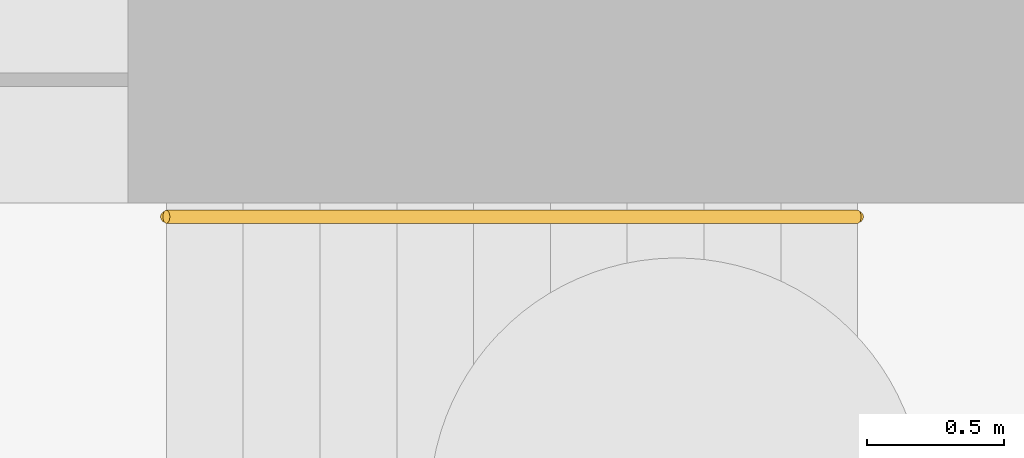
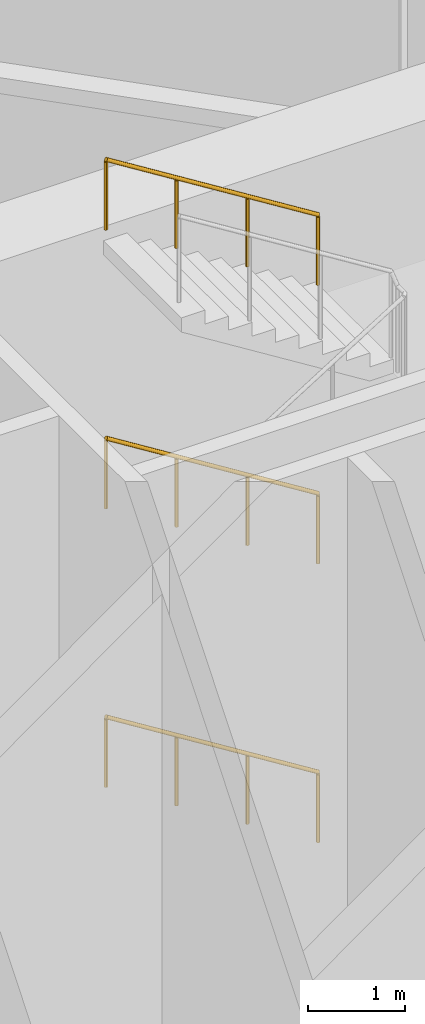
# One storey, part 30 of 31: 3 railings.
"""IFC4 building model written with IfcOpenShell, lengths in metres."""

from ifc_helpers import new_model, si_unit, direction, frame, origin, origin_2d, place, context, subcontext, project, spatial, circle, extrude, material, type_object, element, save


model = new_model("IFC4")

# Units and contexts
model_context = context("Model", 3, precision=1e-05, world=origin(), true_north=direction((0.0, 1.0)))
body_context = subcontext(model_context, "Body", "Model", "MODEL_VIEW")
ifc_project = project(units=[si_unit("LENGTHUNIT", "METRE"), si_unit("AREAUNIT", "SQUARE_METRE"), si_unit("VOLUMEUNIT", "CUBIC_METRE"), si_unit("PLANEANGLEUNIT", "RADIAN"), si_unit("MASSUNIT", "GRAM", prefix="KILO")], contexts=[model_context])

# Site, building, storey
site_placement = place(None, origin())
site = spatial("IfcSite", under=ifc_project, at=site_placement, CompositionType="ELEMENT")
building_placement = place(site_placement, origin())
building = spatial("IfcBuilding", under=site, at=building_placement, Name="Orlundy Tower", CompositionType="ELEMENT")
storey_placement = place(building_placement, origin())
storey = spatial("IfcBuildingStorey", under=building, at=storey_placement, Name="L00", CompositionType="ELEMENT", Elevation=0.0)

# Railings
ifc_material = material(Name="Steel handrail", Category="steel")
railing_type = type_object("IfcRailingType", Name="Stair Handrail 900", PredefinedType="HANDRAIL", material=ifc_material)
for number, where, name in (
    (1, (15.659912109375, 11.050048828125, 1.925048828125), "L00 ST-E2 stair handrail 2"),
    (2, (15.659912109375, 11.050048828125, 5.425048828125), "L00 ST-E2 stair handrail 4"),
    (3, (15.659912109375, 11.050048828125, 8.925048828125), "L00 ST-E2 stair handrail 6"),
):
    element("IfcRailing", number, at=place(storey_placement, frame(where)), inside=storey, type_object=railing_type, Name=name, PredefinedType="HANDRAIL", context=body_context, shape_type="SweptSolid", body=[
        extrude(circle(Radius=0.02392578125, at=origin_2d()), frame((0.0, 0.0, 0.8759765625), z_axis=(-0.848007534815, 0.0, 0.529984170421), x_axis=(0.0, -1.0, 0.0)), (0.0, 0.0, 1.0), 2.9716796875),
        extrude(circle(Radius=0.02099609375, at=origin_2d()), origin(), (0.0, 0.0, 1.0), 0.851806640625),
        extrude(circle(Radius=0.02099609375, at=origin_2d()), frame((-0.840087890625, 0.0, 0.52490234375)), (0.0, 0.0, 1.0), 0.851806640625),
        extrude(circle(Radius=0.02099609375, at=origin_2d()), frame((-1.679931640625, 0.0, 1.050048828125)), (0.0, 0.0, 1.0), 0.851806640625),
        extrude(circle(Radius=0.02099609375, at=origin_2d()), frame((-2.52001953125, 0.0, 1.574951171875)), (0.0, 0.0, 1.0), 0.851806640625),
    ])

save(model, "model.ifc")
